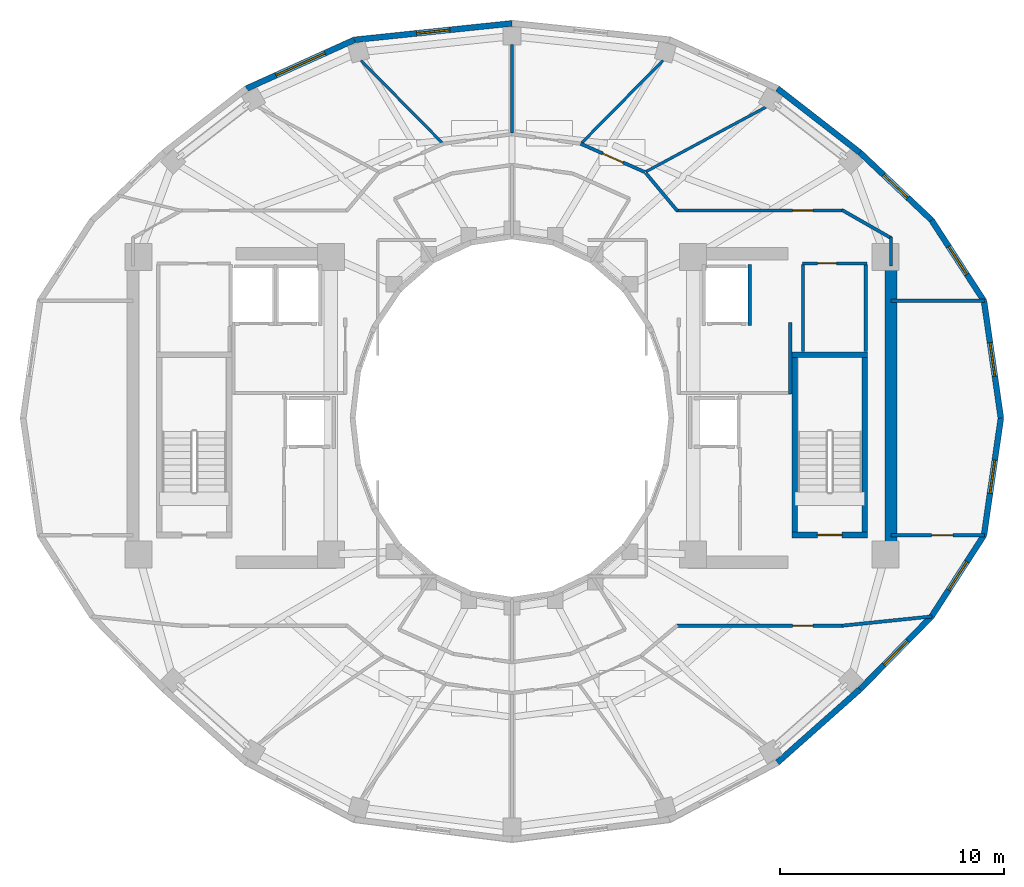
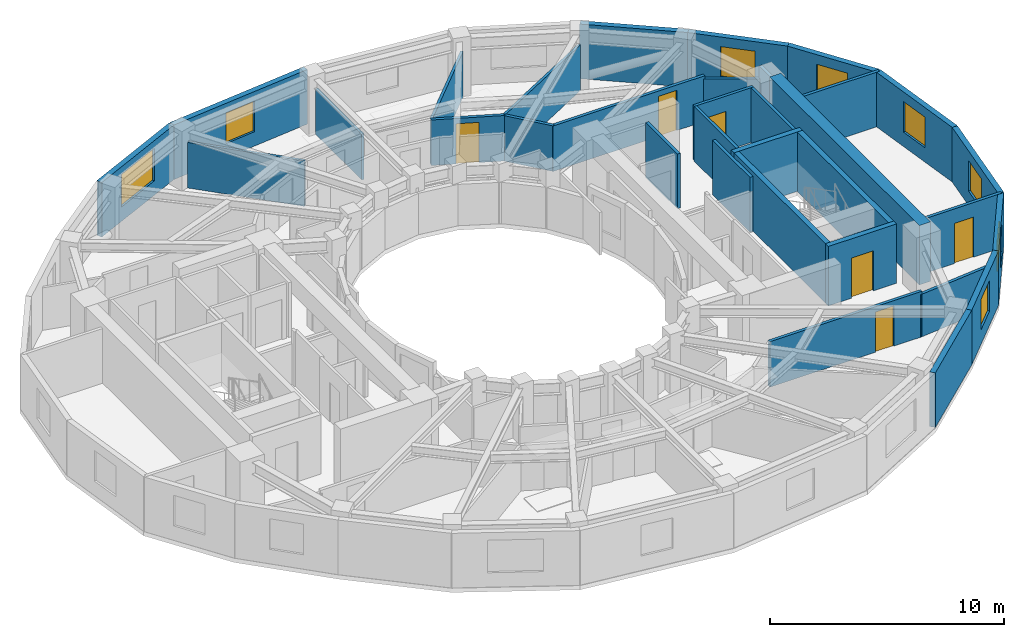
# One storey, part 6 of 9: 33 walls, 8 windows, 6 doors, 14 openings.
"""IFC4 building model written with IfcOpenShell, lengths in metres."""

from ifc_helpers import new_model, si_unit, direction, frame, frame_2d, origin, place, context, subcontext, project, spatial, rectangle, extrude, material, layer, layer_set, type_object, element, fill, save


model = new_model("IFC4")

# Units and contexts
model_context = context("Model", 3, precision=1e-05, world=origin(), true_north=direction((0.0, 1.0)))
body_context = subcontext(model_context, "Body", "Model", "MODEL_VIEW")
ifc_project = project(units=[si_unit("LENGTHUNIT", "METRE"), si_unit("AREAUNIT", "SQUARE_METRE"), si_unit("VOLUMEUNIT", "CUBIC_METRE"), si_unit("PLANEANGLEUNIT", "RADIAN"), si_unit("MASSUNIT", "GRAM", prefix="KILO")], contexts=[model_context])

# Site, building, storey
site_placement = place(None, origin())
site = spatial("IfcSite", under=ifc_project, at=site_placement, CompositionType="ELEMENT")
building_placement = place(site_placement, origin())
building = spatial("IfcBuilding", under=site, at=building_placement, Name="Solvane Sanctuary Tower", CompositionType="ELEMENT")
storey_placement = place(building_placement, frame((0.0, 0.0, 232.60009765625)))
storey = spatial("IfcBuildingStorey", under=building, at=storey_placement, Name="L71", CompositionType="ELEMENT", Elevation=232.60009765625)

# Walls
ifc_material_1 = material(Name="Concrete C50/60", Category="concrete")
ifc_layer_1 = layer(ifc_material_1, 0.550048828125, Name="Concrete C50/60")
ifc_layer_set_1 = layer_set([ifc_layer_1], Name="Concrete C50/60")
wall_type_1 = type_object("IfcWallType", Name="Wall W-CORE-550", PredefinedType="SHEAR", material=ifc_layer_set_1)
wall_1_placement = place(storey_placement, frame((48.949951171875, 17.050048828125, 0.0), z_axis=(0.0, 0.0, 1.0), x_axis=(0.0, 1.0, 0.0)))
element("IfcWall", 1, at=wall_1_placement, inside=storey, type_object=wall_type_1, Name="L71 Core Shear Wall EC-E", PredefinedType="SHEAR", context=body_context, shape_type="SweptSolid", body=[
    extrude(rectangle(XDim=12.800048828125, YDim=0.550048828125, at=frame_2d((6.39990234375, 0.0))), origin(), (0.0, 0.0, 1.0), 3.099853515625),
])
ifc_material_2 = material(Name="Acoustic Gypsum Partition Board")
ifc_layer_2 = layer(ifc_material_2, 0.14990234375, Name="Acoustic Gypsum Partition Board")
ifc_layer_set_2 = layer_set([ifc_layer_2], Name="Acoustic Gypsum Partition Board")
wall_type_2 = type_object("IfcWallType", Name="Wall W-CORR-150", PredefinedType="PARTITIONING", material=ifc_layer_set_2)
wall_2_placement = place(storey_placement, frame((44.449951171875, 24.080078125, 0.0), z_axis=(0.0, 0.0, 1.0), x_axis=(0.0, 1.0, 0.0)))
element("IfcWall", 2, at=wall_2_placement, inside=storey, type_object=wall_type_2, Name="L71 East Firefighting Lobby East Wall", PredefinedType="PARTITIONING", context=body_context, shape_type="SweptSolid", body=[
    extrude(rectangle(XDim=3.199951171875, YDim=0.14990234375, at=frame_2d((1.60009765625, 0.0))), origin(), (0.0, 0.0, 1.0), 2.85498046875),
])

# Wall, opening, door
wall_3_placement = place(storey_placement, frame((48.949951171875, 17.754638671875, 0.0), z_axis=(0.0, 0.0, 1.0), x_axis=(1.0, 0.0, 0.0)))
wall_3 = element("IfcWall", 3, at=wall_3_placement, inside=storey, type_object=wall_type_2, Name="L71 East Shoulder South Wall", PredefinedType="PARTITIONING", context=body_context, shape_type="SweptSolid", body=[
    extrude(rectangle(XDim=4.174560546875, YDim=0.14990234375, at=frame_2d((2.08740234375, 0.0))), origin(), (0.0, 0.0, 1.0), 2.85498046875),
])
opening_1_placement = place(wall_3_placement, frame((1.817138671875, 0.0, 0.0)))
opening_1 = element("IfcOpeningElement", 4, at=opening_1_placement, cuts=wall_3, Name="Opening D-L71-13", PredefinedType="OPENING", context=body_context, shape_type="SweptSolid", body=[
    extrude(rectangle(XDim=0.949951171875, YDim=2.10009765625, at=frame_2d((0.47509765625, 1.050048828125))), frame((0.0, 0.0849609375, 0.0), z_axis=(0.0, -1.0, 0.0), x_axis=(1.0, 0.0, 0.0)), (0.0, 0.0, 1.0), 0.169921875),
])
ifc_material_3 = material(Name="Engineered Tropical Hardwood", Category="wood")
door_type_1 = type_object("IfcDoorType", Name="Door D-ROOM-950", OperationType="NOTDEFINED", PredefinedType="DOOR", material=ifc_material_3)
door_1_placement = place(opening_1_placement, origin())
door_1 = element("IfcDoor", 5, at=door_1_placement, inside=storey, type_object=door_type_1, Name="L71 East Shoulder South Door", OperationType="SINGLE_SWING_RIGHT", OverallHeight=2.10009765625, OverallWidth=0.949951171875, PredefinedType="DOOR", context=body_context, shape_type="SweptSolid", body=[
    extrude(rectangle(XDim=0.949951171875, YDim=2.10009765625, at=frame_2d((0.47509765625, 1.050048828125))), frame((0.0, 0.02490234375, 0.0), z_axis=(0.0, -1.0, 0.0), x_axis=(1.0, 0.0, 0.0)), (0.0, 0.0, 1.0), 0.050048828125),
])
fill(opening_1, door_1)

# Walls
wall_4_placement = place(storey_placement, frame((48.949951171875, 28.245361328125, 0.0), z_axis=(0.0, 0.0, 1.0), x_axis=(1.0, 0.0, 0.0)))
element("IfcWall", 6, at=wall_4_placement, inside=storey, type_object=wall_type_2, Name="L71 East Shoulder North Wall", PredefinedType="PARTITIONING", context=body_context, shape_type="SweptSolid", body=[
    extrude(rectangle(XDim=4.174560546875, YDim=0.14990234375, at=frame_2d((2.08740234375, 0.0))), origin(), (0.0, 0.0, 1.0), 2.85498046875),
])
wall_5_placement = place(storey_placement, frame((48.949951171875, 29.800048828125, 0.0), z_axis=(0.0, 0.0, 1.0), x_axis=(0.0, 1.0, 0.0)))
element("IfcWall", 7, at=wall_5_placement, inside=storey, type_object=wall_type_2, Name="L71 NE Corner Closer 1", PredefinedType="PARTITIONING", context=body_context, shape_type="SweptSolid", body=[
    extrude(rectangle(XDim=1.2900390625, YDim=0.14990234375, at=frame_2d((0.64501953125, 0.0))), origin(), (0.0, 0.0, 1.0), 2.85498046875),
])
wall_6_placement = place(storey_placement, frame((37.984130859375, 33.95458984375, 0.0), z_axis=(0.0, 0.0, 1.0), x_axis=(0.64030392053, -0.76812166312, 0.0)))
element("IfcWall", 8, at=wall_6_placement, inside=storey, type_object=wall_type_2, Name="L71 NE Corner Throat Wall", PredefinedType="PARTITIONING", context=body_context, shape_type="SweptSolid", body=[
    extrude(rectangle(XDim=2.2099609375, YDim=0.14990234375, at=frame_2d((1.10498046875, 0.0))), origin(), (0.0, 0.0, 1.0), 2.3759765625),
])

# Wall, opening, door
wall_7_placement = place(storey_placement, frame((39.330078125, 32.280029296875, 0.0), z_axis=(0.0, 0.0, 1.0), x_axis=(1.0, 0.0, 0.0)))
wall_7 = element("IfcWall", 9, at=wall_7_placement, inside=storey, type_object=wall_type_2, Name="L71 NE Corner Corridor Wall", PredefinedType="PARTITIONING", context=body_context, shape_type="SweptSolid", body=[
    extrude(rectangle(XDim=7.52001953125, YDim=0.14990234375, at=frame_2d((3.760009765625, 0.0))), origin(), (0.0, 0.0, 1.0), 2.3759765625),
])
opening_2_placement = place(wall_7_placement, frame((5.219970703125, 0.0, 0.0)))
opening_2 = element("IfcOpeningElement", 10, at=opening_2_placement, cuts=wall_7, Name="Opening D-L71-15", PredefinedType="OPENING", context=body_context, shape_type="SweptSolid", body=[
    extrude(rectangle(XDim=0.89990234375, YDim=2.10009765625, at=frame_2d((0.449951171875, 1.050048828125))), frame((0.0, 0.0849609375, 0.0), z_axis=(0.0, -1.0, 0.0), x_axis=(1.0, 0.0, 0.0)), (0.0, 0.0, 1.0), 0.169921875),
])
door_type_2 = type_object("IfcDoorType", Name="Door D-WET-900", OperationType="NOTDEFINED", PredefinedType="DOOR", material=ifc_material_3)
door_2_placement = place(opening_2_placement, origin())
door_2 = element("IfcDoor", 11, at=door_2_placement, inside=storey, type_object=door_type_2, Name="L71 NE Corner Salon Door", OperationType="SINGLE_SWING_RIGHT", OverallHeight=2.10009765625, OverallWidth=0.89990234375, PredefinedType="DOOR", context=body_context, shape_type="SweptSolid", body=[
    extrude(rectangle(XDim=0.89990234375, YDim=2.10009765625, at=frame_2d((0.449951171875, 1.050048828125))), frame((0.0, 0.02490234375, 0.0), z_axis=(0.0, -1.0, 0.0), x_axis=(1.0, 0.0, 0.0)), (0.0, 0.0, 1.0), 0.050048828125),
])
fill(opening_2, door_2)

# Wall
wall_8_placement = place(storey_placement, frame((46.756591796875, 32.3046875, 0.0), z_axis=(0.0, 0.0, 1.0), x_axis=(0.867991349648, -0.496579315857, 0.0)))
element("IfcWall", 12, at=wall_8_placement, inside=storey, type_object=wall_type_2, Name="L71 NE Corner Wing Wall", PredefinedType="PARTITIONING", context=body_context, shape_type="SweptSolid", body=[
    extrude(rectangle(XDim=2.56689453125, YDim=0.14990234375, at=frame_2d((1.283447265625, 0.0))), origin(), (0.0, 0.0, 1.0), 2.219970703125),
])

# Wall, opening, door
wall_9_placement = place(storey_placement, frame((39.330078125, 13.719970703125, 0.0), z_axis=(0.0, 0.0, 1.0), x_axis=(1.0, 0.0, 0.0)))
wall_9 = element("IfcWall", 13, at=wall_9_placement, inside=storey, type_object=wall_type_2, Name="L71 SE Corner Corridor Wall", PredefinedType="PARTITIONING", context=body_context, shape_type="SweptSolid", body=[
    extrude(rectangle(XDim=7.52001953125, YDim=0.14990234375, at=frame_2d((3.760009765625, 0.0))), origin(), (0.0, 0.0, 1.0), 2.3759765625),
])
opening_3_placement = place(wall_9_placement, frame((5.219970703125, 0.0, 0.0)))
opening_3 = element("IfcOpeningElement", 14, at=opening_3_placement, cuts=wall_9, Name="Opening D-L71-19", PredefinedType="OPENING", context=body_context, shape_type="SweptSolid", body=[
    extrude(rectangle(XDim=0.89990234375, YDim=2.10009765625, at=frame_2d((0.449951171875, 1.050048828125))), frame((0.0, 0.0849609375, 0.0), z_axis=(0.0, -1.0, 0.0), x_axis=(1.0, 0.0, 0.0)), (0.0, 0.0, 1.0), 0.169921875),
])
door_3_placement = place(opening_3_placement, origin())
door_3 = element("IfcDoor", 15, at=door_3_placement, inside=storey, type_object=door_type_2, Name="L71 SE Corner Salon Door", OperationType="SINGLE_SWING_RIGHT", OverallHeight=2.10009765625, OverallWidth=0.89990234375, PredefinedType="DOOR", context=body_context, shape_type="SweptSolid", body=[
    extrude(rectangle(XDim=0.89990234375, YDim=2.10009765625, at=frame_2d((0.449951171875, 1.050048828125))), frame((0.0, 0.02490234375, 0.0), z_axis=(0.0, -1.0, 0.0), x_axis=(1.0, 0.0, 0.0)), (0.0, 0.0, 1.0), 0.050048828125),
])
fill(opening_3, door_3)

# Wall
wall_10_placement = place(storey_placement, frame((46.750244140625, 13.71484375, 0.0), z_axis=(0.0, 0.0, 1.0), x_axis=(0.994734711466, 0.102483431859, 0.0)))
element("IfcWall", 16, at=wall_10_placement, inside=storey, type_object=wall_type_2, Name="L71 SE Corner Wing Wall", PredefinedType="PARTITIONING", context=body_context, shape_type="SweptSolid", body=[
    extrude(rectangle(XDim=4.04736328125, YDim=0.14990234375, at=frame_2d((2.023681640625, 0.0))), origin(), (0.0, 0.0, 1.0), 2.219970703125),
])

# Wall, opening, door
wall_11_placement = place(storey_placement, frame((37.956298828125, 33.992431640625, 0.0), z_axis=(0.0, 0.0, 1.0), x_axis=(-0.914642679993, 0.404263240891, 0.0)))
wall_11 = element("IfcWall", 17, at=wall_11_placement, inside=storey, type_object=wall_type_2, Name="L71 Unit Corridor Wall N1", PredefinedType="PARTITIONING", context=body_context, shape_type="SweptSolid", body=[
    extrude(rectangle(XDim=3.154296875, YDim=0.14990234375, at=frame_2d((1.5771484375, 0.0))), origin(), (0.0, 0.0, 1.0), 2.3759765625),
])
opening_4_placement = place(wall_11_placement, frame((1.076904296875, 0.0, 0.0)))
opening_4 = element("IfcOpeningElement", 18, at=opening_4_placement, cuts=wall_11, Name="Opening D-L71-20", PredefinedType="OPENING", context=body_context, shape_type="SweptSolid", body=[
    extrude(rectangle(XDim=1.0, YDim=2.10009765625, at=frame_2d((0.5, 1.050048828125))), frame((0.0, 0.0849609375, 0.0), z_axis=(0.0, -1.0, 0.0), x_axis=(1.0, 0.0, 0.0)), (0.0, 0.0, 1.0), 0.169921875),
])
door_type_3 = type_object("IfcDoorType", Name="Door D-UNIT", OperationType="NOTDEFINED", PredefinedType="DOOR", material=ifc_material_3)
door_4_placement = place(opening_4_placement, origin())
door_4 = element("IfcDoor", 19, at=door_4_placement, inside=storey, type_object=door_type_3, Name="L71 Unit Entrance Door N1", OperationType="SINGLE_SWING_LEFT", OverallHeight=2.10009765625, OverallWidth=1.0, PredefinedType="DOOR", context=body_context, shape_type="SweptSolid", body=[
    extrude(rectangle(XDim=1.0, YDim=2.10009765625, at=frame_2d((0.5, 1.050048828125))), frame((0.0, 0.02490234375, 0.0), z_axis=(0.0, -1.0, 0.0), x_axis=(1.0, 0.0, 0.0)), (0.0, 0.0, 1.0), 0.050048828125),
])
fill(opening_4, door_4)

# Wall, opening, window
ifc_material_4 = material(Name="Precast concrete C40/50", Category="concrete")
ifc_layer_3 = layer(ifc_material_4, 0.260009765625, Name="Precast concrete C40/50")
ifc_layer_set_3 = layer_set([ifc_layer_3], Name="Precast concrete C40/50")
wall_type_3 = type_object("IfcWallType", Name="Wall W-EXT-250", PredefinedType="STANDARD", material=ifc_layer_set_3)
wall_12_placement = place(storey_placement, frame((53.860107421875, 23.0, 0.0), z_axis=(0.0, 0.0, 1.0), x_axis=(-0.142712754019, 0.989764148593, 0.0)))
wall_12 = element("IfcWall", 20, at=wall_12_placement, inside=storey, type_object=wall_type_3, Name="L71 Ceramic-Printed Facade Wall 00", PredefinedType="STANDARD", context=body_context, shape_type="SweptSolid", body=[
    extrude(rectangle(XDim=5.29296875, YDim=0.260009765625, at=frame_2d((2.646484375, 0.0))), origin(), (0.0, 0.0, 1.0), 2.849853515625),
])
opening_5_placement = place(wall_12_placement, frame((1.896484375, 0.0, 0.75)))
opening_5 = element("IfcOpeningElement", 21, at=opening_5_placement, cuts=wall_12, Name="Opening WN-OPER-1500", PredefinedType="OPENING", context=body_context, shape_type="SweptSolid", body=[
    extrude(rectangle(XDim=1.5, YDim=1.60009765625, at=frame_2d((0.75, 0.800048828125))), frame((0.0, 0.139892578125, 0.0), z_axis=(0.0, -1.0, 0.0), x_axis=(1.0, 0.0, 0.0)), (0.0, 0.0, 1.0), 0.280029296875),
])
ifc_material_5 = material(Name="Dark Ceramic-Fritted Low-E Glass", Category="glass")
window_type_1 = type_object("IfcWindowType", Name="Window WN-OPER-1500", PartitioningType="SINGLE_PANEL", PredefinedType="WINDOW", material=ifc_material_5)
window_1_placement = place(opening_5_placement, origin())
window_1 = element("IfcWindow", 22, at=window_1_placement, inside=storey, type_object=window_type_1, Name="L71 Operable Facade Window 00", OverallHeight=1.60009765625, OverallWidth=1.5, PartitioningType="SINGLE_PANEL", PredefinedType="WINDOW", context=body_context, shape_type="SweptSolid", body=[
    extrude(rectangle(XDim=1.5, YDim=1.60009765625, at=frame_2d((0.75, 0.800048828125))), frame((0.0, 0.030029296875, 0.0), z_axis=(0.0, -1.0, 0.0), x_axis=(1.0, 0.0, 0.0)), (0.0, 0.0, 1.0), 0.06005859375),
])
fill(opening_5, window_1)

wall_13_placement = place(storey_placement, frame((53.104736328125, 28.23876953125, 0.0), z_axis=(0.0, 0.0, 1.0), x_axis=(-0.544475908819, 0.838776480784, 0.0)))
wall_13 = element("IfcWall", 23, at=wall_13_placement, inside=storey, type_object=wall_type_3, Name="L71 Ceramic-Printed Facade Wall 01", PredefinedType="STANDARD", context=body_context, shape_type="SweptSolid", body=[
    extrude(rectangle(XDim=4.3046875, YDim=0.260009765625, at=frame_2d((2.15234375, 0.0))), origin(), (0.0, 0.0, 1.0), 2.849853515625),
])
opening_6_placement = place(wall_13_placement, frame((1.40234375, 0.0, 0.75)))
opening_6 = element("IfcOpeningElement", 24, at=opening_6_placement, cuts=wall_13, Name="Opening WN-OPER-1500", PredefinedType="OPENING", context=body_context, shape_type="SweptSolid", body=[
    extrude(rectangle(XDim=1.5, YDim=1.60009765625, at=frame_2d((0.75, 0.800048828125))), frame((0.0, 0.139892578125, 0.0), z_axis=(0.0, -1.0, 0.0), x_axis=(1.0, 0.0, 0.0)), (0.0, 0.0, 1.0), 0.280029296875),
])
window_2_placement = place(opening_6_placement, origin())
window_2 = element("IfcWindow", 25, at=window_2_placement, inside=storey, type_object=window_type_1, Name="L71 Operable Facade Window 01", OverallHeight=1.60009765625, OverallWidth=1.5, PartitioningType="SINGLE_PANEL", PredefinedType="WINDOW", context=body_context, shape_type="SweptSolid", body=[
    extrude(rectangle(XDim=1.5, YDim=1.60009765625, at=frame_2d((0.75, 0.800048828125))), frame((0.0, 0.030029296875, 0.0), z_axis=(0.0, -1.0, 0.0), x_axis=(1.0, 0.0, 0.0)), (0.0, 0.0, 1.0), 0.06005859375),
])
fill(opening_6, window_2)

wall_14_placement = place(storey_placement, frame((50.760986328125, 31.849365234375, 0.0), z_axis=(0.0, 0.0, 1.0), x_axis=(-0.72731899451, 0.686299555752, 0.0)))
wall_14 = element("IfcWall", 26, at=wall_14_placement, inside=storey, type_object=wall_type_3, Name="L71 Ceramic-Printed Facade Wall 02", PredefinedType="STANDARD", context=body_context, shape_type="SweptSolid", body=[
    extrude(rectangle(XDim=4.404296875, YDim=0.260009765625, at=frame_2d((2.2021484375, 0.0))), origin(), (0.0, 0.0, 1.0), 2.849853515625),
])
opening_7_placement = place(wall_14_placement, frame((1.4521484375, 0.0, 0.75)))
opening_7 = element("IfcOpeningElement", 27, at=opening_7_placement, cuts=wall_14, Name="Opening WN-OPER-1500", PredefinedType="OPENING", context=body_context, shape_type="SweptSolid", body=[
    extrude(rectangle(XDim=1.5, YDim=1.60009765625, at=frame_2d((0.75, 0.800048828125))), frame((0.0, 0.139892578125, 0.0), z_axis=(0.0, -1.0, 0.0), x_axis=(1.0, 0.0, 0.0)), (0.0, 0.0, 1.0), 0.280029296875),
])
window_3_placement = place(opening_7_placement, origin())
window_3 = element("IfcWindow", 28, at=window_3_placement, inside=storey, type_object=window_type_1, Name="L71 Operable Facade Window 02", OverallHeight=1.60009765625, OverallWidth=1.5, PartitioningType="SINGLE_PANEL", PredefinedType="WINDOW", context=body_context, shape_type="SweptSolid", body=[
    extrude(rectangle(XDim=1.5, YDim=1.60009765625, at=frame_2d((0.75, 0.800048828125))), frame((0.0, 0.030029296875, 0.0), z_axis=(0.0, -1.0, 0.0), x_axis=(1.0, 0.0, 0.0)), (0.0, 0.0, 1.0), 0.06005859375),
])
fill(opening_7, window_3)

# Wall
wall_15_placement = place(storey_placement, frame((47.5576171875, 34.8720703125, 0.0), z_axis=(0.0, 0.0, 1.0), x_axis=(-0.790126214723, 0.612944177563, 0.0)))
element("IfcWall", 29, at=wall_15_placement, inside=storey, type_object=wall_type_3, Name="L71 Ceramic-Printed Facade Wall 03", PredefinedType="STANDARD", context=body_context, shape_type="SweptSolid", body=[
    extrude(rectangle(XDim=4.6669921875, YDim=0.260009765625, at=frame_2d((2.33349609375, 0.0))), origin(), (0.0, 0.0, 1.0), 2.849853515625),
])

# Wall, opening, window
wall_16_placement = place(storey_placement, frame((32.0, 40.64794921875, 0.0), z_axis=(0.0, 0.0, 1.0), x_axis=(-0.994582822721, -0.103947144014, 0.0)))
wall_16 = element("IfcWall", 30, at=wall_16_placement, inside=storey, type_object=wall_type_3, Name="L71 Ceramic-Printed Facade Wall 06", PredefinedType="STANDARD", context=body_context, shape_type="SweptSolid", body=[
    extrude(rectangle(XDim=7.081298828125, YDim=0.260009765625, at=frame_2d((3.54052734375, 0.0))), origin(), (0.0, 0.0, 1.0), 2.849853515625),
])
opening_8_placement = place(wall_16_placement, frame((2.790771484375, 0.0, 0.75)))
opening_8 = element("IfcOpeningElement", 31, at=opening_8_placement, cuts=wall_16, Name="Opening WN-OPER-1500", PredefinedType="OPENING", context=body_context, shape_type="SweptSolid", body=[
    extrude(rectangle(XDim=1.5, YDim=1.60009765625, at=frame_2d((0.75, 0.800048828125))), frame((0.0, 0.139892578125, 0.0), z_axis=(0.0, -1.0, 0.0), x_axis=(1.0, 0.0, 0.0)), (0.0, 0.0, 1.0), 0.280029296875),
])
window_4_placement = place(opening_8_placement, origin())
window_4 = element("IfcWindow", 32, at=window_4_placement, inside=storey, type_object=window_type_1, Name="L71 Operable Facade Window 06", OverallHeight=1.60009765625, OverallWidth=1.5, PartitioningType="SINGLE_PANEL", PredefinedType="WINDOW", context=body_context, shape_type="SweptSolid", body=[
    extrude(rectangle(XDim=1.5, YDim=1.60009765625, at=frame_2d((0.75, 0.800048828125))), frame((0.0, 0.030029296875, 0.0), z_axis=(0.0, -1.0, 0.0), x_axis=(1.0, 0.0, 0.0)), (0.0, 0.0, 1.0), 0.06005859375),
])
fill(opening_8, window_4)

wall_17_placement = place(storey_placement, frame((24.95703125, 39.911865234375, 0.0), z_axis=(0.0, 0.0, 1.0), x_axis=(-0.911427484938, -0.411460738952, 0.0)))
wall_17 = element("IfcWall", 33, at=wall_17_placement, inside=storey, type_object=wall_type_3, Name="L71 Ceramic-Printed Facade Wall 07", PredefinedType="STANDARD", context=body_context, shape_type="SweptSolid", body=[
    extrude(rectangle(XDim=5.296142578125, YDim=0.260009765625, at=frame_2d((2.64794921875, 0.0))), origin(), (0.0, 0.0, 1.0), 2.849853515625),
])
opening_9_placement = place(wall_17_placement, frame((1.447998046875, 0.0, 0.75)))
opening_9 = element("IfcOpeningElement", 34, at=opening_9_placement, cuts=wall_17, Name="Opening WN-RIB-2400", PredefinedType="OPENING", context=body_context, shape_type="SweptSolid", body=[
    extrude(rectangle(XDim=2.39990234375, YDim=1.699951171875, at=frame_2d((1.199951171875, 0.85009765625))), frame((0.0, 0.139892578125, 0.0), z_axis=(0.0, -1.0, 0.0), x_axis=(1.0, 0.0, 0.0)), (0.0, 0.0, 1.0), 0.280029296875),
])
window_type_2 = type_object("IfcWindowType", Name="Window WN-RIB-2400", PartitioningType="SINGLE_PANEL", PredefinedType="WINDOW", material=ifc_material_5)
window_5_placement = place(opening_9_placement, origin())
window_5 = element("IfcWindow", 35, at=window_5_placement, inside=storey, type_object=window_type_2, Name="L71 Operable Facade Window 07", OverallHeight=1.699951171875, OverallWidth=2.39990234375, PartitioningType="SINGLE_PANEL", PredefinedType="WINDOW", context=body_context, shape_type="SweptSolid", body=[
    extrude(rectangle(XDim=2.39990234375, YDim=1.699951171875, at=frame_2d((1.199951171875, 0.85009765625))), frame((0.0, 0.030029296875, 0.0), z_axis=(0.0, -1.0, 0.0), x_axis=(1.0, 0.0, 0.0)), (0.0, 0.0, 1.0), 0.06005859375),
])
fill(opening_9, window_5)

# Wall
wall_18_placement = place(storey_placement, frame((43.8701171875, 7.600830078125, 0.0), z_axis=(0.0, 0.0, 1.0), x_axis=(0.748165854006, 0.663511759428, 0.0)))
element("IfcWall", 36, at=wall_18_placement, inside=storey, type_object=wall_type_3, Name="L71 Ceramic-Printed Facade Wall 20", PredefinedType="STANDARD", context=body_context, shape_type="SweptSolid", body=[
    extrude(rectangle(XDim=4.9287109375, YDim=0.260009765625, at=frame_2d((2.46435546875, 0.0))), origin(), (0.0, 0.0, 1.0), 2.849853515625),
])

# Wall, opening, window
wall_19_placement = place(storey_placement, frame((47.5576171875, 10.87109375, 0.0), z_axis=(0.0, 0.0, 1.0), x_axis=(0.700642973333, 0.713512034881, 0.0)))
wall_19 = element("IfcWall", 37, at=wall_19_placement, inside=storey, type_object=wall_type_3, Name="L71 Ceramic-Printed Facade Wall 21", PredefinedType="STANDARD", context=body_context, shape_type="SweptSolid", body=[
    extrude(rectangle(XDim=4.572021484375, YDim=0.260009765625, at=frame_2d((2.2861328125, 0.0))), origin(), (0.0, 0.0, 1.0), 2.849853515625),
])
opening_10_placement = place(wall_19_placement, frame((1.535888671875, 0.0, 0.75)))
opening_10 = element("IfcOpeningElement", 38, at=opening_10_placement, cuts=wall_19, Name="Opening WN-OPER-1500", PredefinedType="OPENING", context=body_context, shape_type="SweptSolid", body=[
    extrude(rectangle(XDim=1.5, YDim=1.60009765625, at=frame_2d((0.75, 0.800048828125))), frame((0.0, 0.139892578125, 0.0), z_axis=(0.0, -1.0, 0.0), x_axis=(1.0, 0.0, 0.0)), (0.0, 0.0, 1.0), 0.280029296875),
])
window_6_placement = place(opening_10_placement, origin())
window_6 = element("IfcWindow", 39, at=window_6_placement, inside=storey, type_object=window_type_1, Name="L71 Operable Facade Window 21", OverallHeight=1.60009765625, OverallWidth=1.5, PartitioningType="SINGLE_PANEL", PredefinedType="WINDOW", context=body_context, shape_type="SweptSolid", body=[
    extrude(rectangle(XDim=1.5, YDim=1.60009765625, at=frame_2d((0.75, 0.800048828125))), frame((0.0, 0.030029296875, 0.0), z_axis=(0.0, -1.0, 0.0), x_axis=(1.0, 0.0, 0.0)), (0.0, 0.0, 1.0), 0.06005859375),
])
fill(opening_10, window_6)

wall_20_placement = place(storey_placement, frame((50.760986328125, 14.13330078125, 0.0), z_axis=(0.0, 0.0, 1.0), x_axis=(0.542641766008, 0.839964233634, 0.0)))
wall_20 = element("IfcWall", 40, at=wall_20_placement, inside=storey, type_object=wall_type_3, Name="L71 Ceramic-Printed Facade Wall 22", PredefinedType="STANDARD", context=body_context, shape_type="SweptSolid", body=[
    extrude(rectangle(XDim=4.319091796875, YDim=0.260009765625, at=frame_2d((2.15966796875, 0.0))), origin(), (0.0, 0.0, 1.0), 2.849853515625),
])
opening_11_placement = place(wall_20_placement, frame((1.40966796875, 0.0, 0.75)))
opening_11 = element("IfcOpeningElement", 41, at=opening_11_placement, cuts=wall_20, Name="Opening WN-OPER-1500", PredefinedType="OPENING", context=body_context, shape_type="SweptSolid", body=[
    extrude(rectangle(XDim=1.5, YDim=1.60009765625, at=frame_2d((0.75, 0.800048828125))), frame((0.0, 0.139892578125, 0.0), z_axis=(0.0, -1.0, 0.0), x_axis=(1.0, 0.0, 0.0)), (0.0, 0.0, 1.0), 0.280029296875),
])
window_7_placement = place(opening_11_placement, origin())
window_7 = element("IfcWindow", 42, at=window_7_placement, inside=storey, type_object=window_type_1, Name="L71 Operable Facade Window 22", OverallHeight=1.60009765625, OverallWidth=1.5, PartitioningType="SINGLE_PANEL", PredefinedType="WINDOW", context=body_context, shape_type="SweptSolid", body=[
    extrude(rectangle(XDim=1.5, YDim=1.60009765625, at=frame_2d((0.75, 0.800048828125))), frame((0.0, 0.030029296875, 0.0), z_axis=(0.0, -1.0, 0.0), x_axis=(1.0, 0.0, 0.0)), (0.0, 0.0, 1.0), 0.06005859375),
])
fill(opening_11, window_7)

wall_21_placement = place(storey_placement, frame((53.104736328125, 17.76123046875, 0.0), z_axis=(0.0, 0.0, 1.0), x_axis=(0.142712754019, 0.989764148593, 0.0)))
wall_21 = element("IfcWall", 43, at=wall_21_placement, inside=storey, type_object=wall_type_3, Name="L71 Ceramic-Printed Facade Wall 23", PredefinedType="STANDARD", context=body_context, shape_type="SweptSolid", body=[
    extrude(rectangle(XDim=5.29296875, YDim=0.260009765625, at=frame_2d((2.646484375, 0.0))), origin(), (0.0, 0.0, 1.0), 2.849853515625),
])
opening_12_placement = place(wall_21_placement, frame((1.896484375, 0.0, 0.75)))
opening_12 = element("IfcOpeningElement", 44, at=opening_12_placement, cuts=wall_21, Name="Opening WN-OPER-1500", PredefinedType="OPENING", context=body_context, shape_type="SweptSolid", body=[
    extrude(rectangle(XDim=1.5, YDim=1.60009765625, at=frame_2d((0.75, 0.800048828125))), frame((0.0, 0.139892578125, 0.0), z_axis=(0.0, -1.0, 0.0), x_axis=(1.0, 0.0, 0.0)), (0.0, 0.0, 1.0), 0.280029296875),
])
window_8_placement = place(opening_12_placement, origin())
window_8 = element("IfcWindow", 45, at=window_8_placement, inside=storey, type_object=window_type_1, Name="L71 Operable Facade Window 23", OverallHeight=1.60009765625, OverallWidth=1.5, PartitioningType="SINGLE_PANEL", PredefinedType="WINDOW", context=body_context, shape_type="SweptSolid", body=[
    extrude(rectangle(XDim=1.5, YDim=1.60009765625, at=frame_2d((0.75, 0.800048828125))), frame((0.0, 0.030029296875, 0.0), z_axis=(0.0, -1.0, 0.0), x_axis=(1.0, 0.0, 0.0)), (0.0, 0.0, 1.0), 0.06005859375),
])
fill(opening_12, window_8)

# Walls
ifc_layer_4 = layer(ifc_material_2, 0.125, Name="Acoustic Gypsum Partition Board")
ifc_layer_set_4 = layer_set([ifc_layer_4], Name="Acoustic Gypsum Partition Board")
wall_type_4 = type_object("IfcWallType", Name="Wall W-PART-125", PredefinedType="PARTITIONING", material=ifc_layer_set_4)
wall_22_placement = place(storey_placement, frame((37.997314453125, 34.02294921875, 0.0), z_axis=(0.0, 0.0, 1.0), x_axis=(0.880531534665, 0.473987569943, 0.0)))
element("IfcWall", 46, at=wall_22_placement, inside=storey, type_object=wall_type_4, Name="L71 Radial Compartment Wall 060", PredefinedType="PARTITIONING", context=body_context, shape_type="SweptSolid", body=[
    extrude(rectangle(XDim=6.095947265625, YDim=0.125, at=frame_2d((3.0478515625, 0.0))), origin(), (0.0, 0.0, 1.0), 2.3759765625),
])
wall_23_placement = place(storey_placement, frame((35.117919921875, 35.304443359375, 0.0), z_axis=(0.0, 0.0, 1.0), x_axis=(0.702191571271, 0.711988059756, 0.0)))
element("IfcWall", 47, at=wall_23_placement, inside=storey, type_object=wall_type_4, Name="L71 Radial Compartment Wall 075", PredefinedType="PARTITIONING", context=body_context, shape_type="SweptSolid", body=[
    extrude(rectangle(XDim=5.18359375, YDim=0.125, at=frame_2d((2.591796875, 0.0))), origin(), (0.0, 0.0, 1.0), 2.3759765625),
])
wall_24_placement = place(storey_placement, frame((32.0, 35.7529296875, 0.0), z_axis=(0.0, 0.0, 1.0), x_axis=(0.0, 1.0, 0.0)))
element("IfcWall", 48, at=wall_24_placement, inside=storey, type_object=wall_type_4, Name="L71 Radial Compartment Wall 090", PredefinedType="PARTITIONING", context=body_context, shape_type="SweptSolid", body=[
    extrude(rectangle(XDim=3.947021484375, YDim=0.125, at=frame_2d((1.9736328125, 0.0))), origin(), (0.0, 0.0, 1.0), 2.3759765625),
])
wall_25_placement = place(storey_placement, frame((28.882080078125, 35.304443359375, 0.0), z_axis=(0.0, 0.0, 1.0), x_axis=(-0.702191571271, 0.711988059756, 0.0)))
element("IfcWall", 49, at=wall_25_placement, inside=storey, type_object=wall_type_4, Name="L71 Radial Compartment Wall 105", PredefinedType="PARTITIONING", context=body_context, shape_type="SweptSolid", body=[
    extrude(rectangle(XDim=5.18359375, YDim=0.125, at=frame_2d((2.591796875, 0.0))), origin(), (0.0, 0.0, 1.0), 2.3759765625),
])
ifc_layer_5 = layer(ifc_material_1, 0.14990234375, Name="Concrete C50/60")
ifc_layer_set_5 = layer_set([ifc_layer_5], Name="Concrete C50/60")
wall_type_5 = type_object("IfcWallType", Name="Wall W-SHAFT-150", PredefinedType="SOLIDWALL", material=ifc_layer_set_5)
wall_26_placement = place(storey_placement, frame((42.6298828125, 27.139892578125, 0.0), z_axis=(0.0, 0.0, 1.0), x_axis=(0.0, 1.0, 0.0)))
element("IfcWall", 50, at=wall_26_placement, inside=storey, type_object=wall_type_5, Name="L71 FFL-2 Lift Shaft Wall S2", PredefinedType="SOLIDWALL", context=body_context, shape_type="SweptSolid", body=[
    extrude(rectangle(XDim=2.72021484375, YDim=0.14990234375, at=frame_2d((1.360107421875, 0.0))), origin(), (0.0, 0.0, 1.0), 2.85498046875),
])

# Wall, opening, door
ifc_layer_6 = layer(ifc_material_1, 0.25, Name="Concrete C50/60")
ifc_layer_set_6 = layer_set([ifc_layer_6], Name="Concrete C50/60")
wall_type_6 = type_object("IfcWallType", Name="Wall W-SHAFT-250", PredefinedType="SOLIDWALL", material=ifc_layer_set_6)
wall_27_placement = place(storey_placement, frame((44.52490234375, 17.77001953125, 0.0), z_axis=(0.0, 0.0, 1.0), x_axis=(1.0, 0.0, 0.0)))
wall_27 = element("IfcWall", 51, at=wall_27_placement, inside=storey, type_object=wall_type_6, Name="L71 ST-2 Load-Bearing Shaft Wall S", PredefinedType="SOLIDWALL", context=body_context, shape_type="SweptSolid", body=[
    extrude(rectangle(XDim=3.3701171875, YDim=0.25, at=frame_2d((1.68505859375, 0.0))), origin(), (0.0, 0.0, 1.0), 3.099853515625),
])
opening_13_placement = place(wall_27_placement, frame((1.135009765625, 0.0, 0.0)))
opening_13 = element("IfcOpeningElement", 52, at=opening_13_placement, cuts=wall_27, Name="Opening D-L71-02", PredefinedType="OPENING", context=body_context, shape_type="SweptSolid", body=[
    extrude(rectangle(XDim=1.10009765625, YDim=2.10009765625, at=frame_2d((0.550048828125, 1.050048828125))), frame((0.0, 0.135009765625, 0.0), z_axis=(0.0, -1.0, 0.0), x_axis=(1.0, 0.0, 0.0)), (0.0, 0.0, 1.0), 0.27001953125),
])
ifc_material_6 = material(Name="Architectural Stainless Steel 316", Category="steel")
door_type_4 = type_object("IfcDoorType", Name="Door D-STAIR", OperationType="NOTDEFINED", PredefinedType="DOOR", material=ifc_material_6)
door_5_placement = place(opening_13_placement, origin())
door_5 = element("IfcDoor", 53, at=door_5_placement, inside=storey, type_object=door_type_4, Name="L71 ST-2 Exit Stair Fire Door", OperationType="SINGLE_SWING_RIGHT", OverallHeight=2.10009765625, OverallWidth=1.10009765625, PredefinedType="DOOR", context=body_context, shape_type="SweptSolid", body=[
    extrude(rectangle(XDim=1.10009765625, YDim=2.10009765625, at=frame_2d((0.550048828125, 1.050048828125))), frame((0.0, 0.02490234375, 0.0), z_axis=(0.0, -1.0, 0.0), x_axis=(1.0, 0.0, 0.0)), (0.0, 0.0, 1.0), 0.050048828125),
])
fill(opening_13, door_5)

# Walls
wall_28_placement = place(storey_placement, frame((44.52490234375, 25.830078125, 0.0), z_axis=(0.0, 0.0, 1.0), x_axis=(1.0, 0.0, 0.0)))
element("IfcWall", 54, at=wall_28_placement, inside=storey, type_object=wall_type_6, Name="L71 ST-2 Load-Bearing Shaft Wall N", PredefinedType="SOLIDWALL", context=body_context, shape_type="SweptSolid", body=[
    extrude(rectangle(XDim=3.3701171875, YDim=0.25, at=frame_2d((1.68505859375, 0.0))), origin(), (0.0, 0.0, 1.0), 3.099853515625),
])
for number, where, z_axis, x_axis, name in (
    (55, (44.64990234375, 17.89501953125, 0.0), (0.0, 0.0, 1.0), (0.0, 1.0, 0.0), "L71 ST-2 Load-Bearing Shaft Wall W"),
    (56, (47.77001953125, 17.89501953125, 0.0), (0.0, 0.0, 1.0), (0.0, 1.0, 0.0), "L71 ST-2 Load-Bearing Shaft Wall E"),
):
    element("IfcWall", number, at=place(storey_placement, frame(where, z_axis=z_axis, x_axis=x_axis)), inside=storey, type_object=wall_type_6, Name=name, PredefinedType="SOLIDWALL", context=body_context, shape_type="SweptSolid", body=[
        extrude(rectangle(XDim=7.81005859375, YDim=0.25, at=frame_2d((3.905029296875, 0.0))), origin(), (0.0, 0.0, 1.0), 3.099853515625),
    ])

# Wall, opening, door
ifc_layer_7 = layer(ifc_material_2, 0.139892578125, Name="Acoustic Gypsum Partition Board")
ifc_layer_set_7 = layer_set([ifc_layer_7], Name="Acoustic Gypsum Partition Board")
wall_type_7 = type_object("IfcWallType", Name="Wall W-WET-140", PredefinedType="PLUMBINGWALL", material=ifc_layer_set_7)
wall_29_placement = place(storey_placement, frame((44.97998046875, 29.919921875, 0.0), z_axis=(0.0, 0.0, 1.0), x_axis=(1.0, 0.0, 0.0)))
wall_29 = element("IfcWall", 57, at=wall_29_placement, inside=storey, type_object=wall_type_7, Name="L71 Core Service Front Wall KE0", PredefinedType="PLUMBINGWALL", context=body_context, shape_type="SweptSolid", body=[
    extrude(rectangle(XDim=2.89990234375, YDim=0.139892578125, at=frame_2d((1.449951171875, 0.0))), origin(), (0.0, 0.0, 1.0), 2.85498046875),
])
opening_14_placement = place(wall_29_placement, frame((0.685546875, 0.0, 0.0)))
opening_14 = element("IfcOpeningElement", 58, at=opening_14_placement, cuts=wall_29, Name="Opening D-L71-08", PredefinedType="OPENING", context=body_context, shape_type="SweptSolid", body=[
    extrude(rectangle(XDim=0.85009765625, YDim=2.050048828125, at=frame_2d((0.425048828125, 1.02490234375))), frame((0.0, 0.079833984375, 0.0), z_axis=(0.0, -1.0, 0.0), x_axis=(1.0, 0.0, 0.0)), (0.0, 0.0, 1.0), 0.159912109375),
])
door_type_5 = type_object("IfcDoorType", Name="Door D-RISER", OperationType="NOTDEFINED", PredefinedType="DOOR", material=ifc_material_6)
door_6_placement = place(opening_14_placement, origin())
door_6 = element("IfcDoor", 59, at=door_6_placement, inside=storey, type_object=door_type_5, Name="L71 Core Service Room Door KE0-1", OperationType="SINGLE_SWING_LEFT", OverallHeight=2.050048828125, OverallWidth=0.85009765625, PredefinedType="DOOR", context=body_context, shape_type="SweptSolid", body=[
    extrude(rectangle(XDim=0.85009765625, YDim=2.050048828125, at=frame_2d((0.425048828125, 1.02490234375))), frame((0.0, 0.02490234375, 0.0), z_axis=(0.0, -1.0, 0.0), x_axis=(1.0, 0.0, 0.0)), (0.0, 0.0, 1.0), 0.050048828125),
])
fill(opening_14, door_6)

# Walls
for number, where, z_axis, x_axis, name in (
    (60, (45.02001953125, 25.97998046875, 0.0), (0.0, 0.0, 1.0), (0.0, 1.0, 0.0), "L71 Core Service Side Wall KE0-1"),
    (61, (47.820068359375, 25.97998046875, 0.0), (0.0, 0.0, 1.0), (0.0, 1.0, 0.0), "L71 Core Service Side Wall KE0-2"),
):
    element("IfcWall", number, at=place(storey_placement, frame(where, z_axis=z_axis, x_axis=x_axis)), inside=storey, type_object=wall_type_7, Name=name, PredefinedType="PLUMBINGWALL", context=body_context, shape_type="SweptSolid", body=[
        extrude(rectangle(XDim=3.880126953125, YDim=0.139892578125, at=frame_2d((1.93994140625, 0.0))), origin(), (0.0, 0.0, 1.0), 2.85498046875),
    ])

save(model, "model.ifc")
